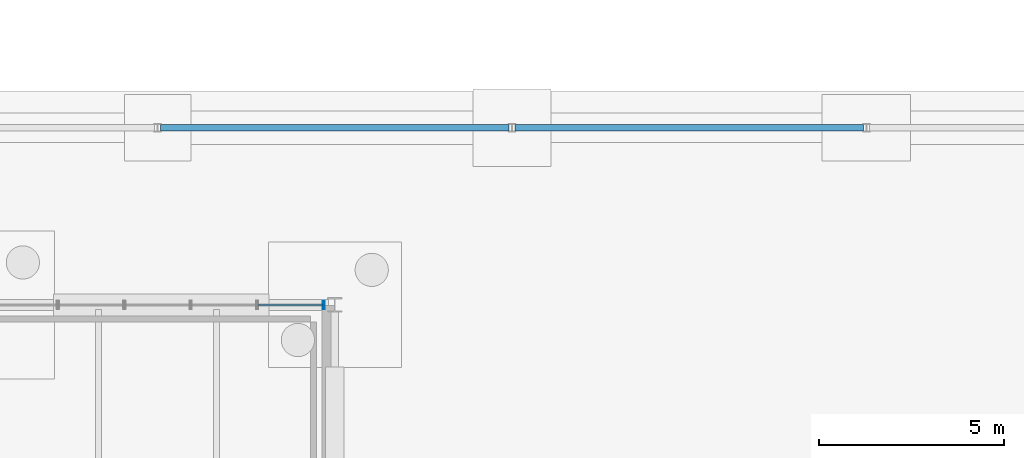
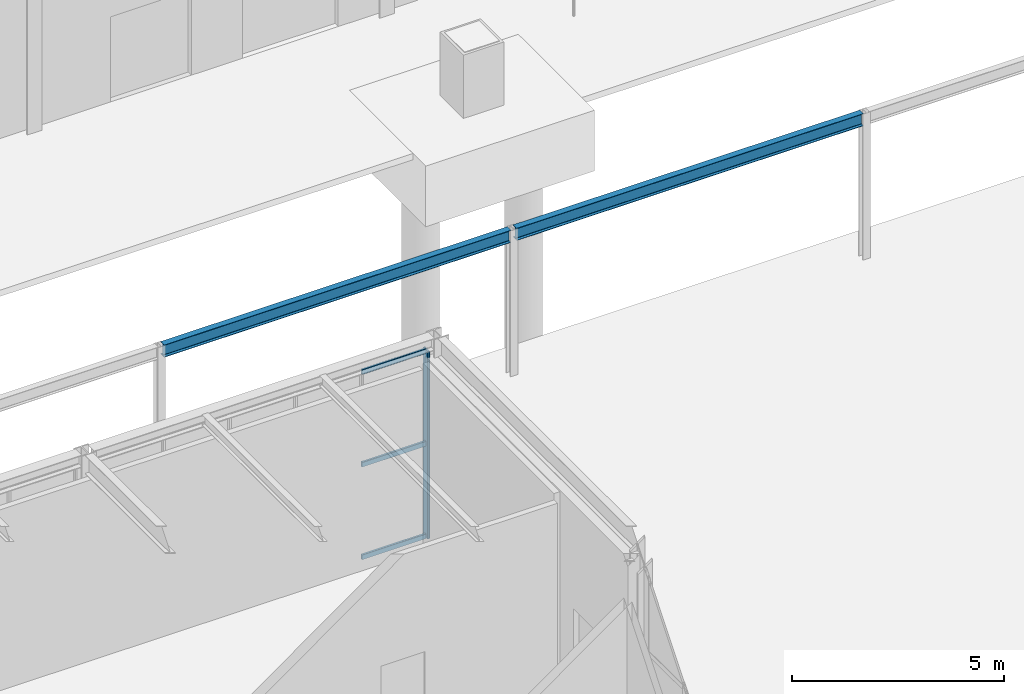
# One storey, part 64 of 142: 4 members, 2 beams, 1 element without a shape of its own.
"""IFC4 building model written with IfcOpenShell, lengths in metres."""

from ifc_helpers import new_model, si_unit, direction, frame, origin, origin_2d, place, context, subcontext, project, spatial, hollow_rectangle, i_section, extrude, material, material_profile, profile_set, type_object, element, aggregate, save


model = new_model("IFC4")

# Units and contexts
model_context = context("Model", 3, precision=1e-05, world=origin(), true_north=direction((0.0, 1.0)))
body_context = subcontext(model_context, "Body", "Model", "MODEL_VIEW")
ifc_project = project(units=[si_unit("LENGTHUNIT", "METRE"), si_unit("AREAUNIT", "SQUARE_METRE"), si_unit("VOLUMEUNIT", "CUBIC_METRE"), si_unit("PLANEANGLEUNIT", "RADIAN"), si_unit("MASSUNIT", "GRAM", prefix="KILO")], contexts=[model_context])

# Site, building, storey
site_placement = place(None, origin())
site = spatial("IfcSite", under=ifc_project, at=site_placement, CompositionType="ELEMENT")
building_placement = place(site_placement, origin())
building = spatial("IfcBuilding", under=site, at=building_placement, Name="Coralgate Yard Interchange", CompositionType="ELEMENT")
storey_placement = place(building_placement, origin())
storey = spatial("IfcBuildingStorey", under=building, at=storey_placement, Name="L00", CompositionType="ELEMENT", Elevation=0.0)

# Beams
ifc_material_1 = material(Name="Structural steel S355J2", Category="steel")
ifc_material_profile_1 = material_profile(ifc_material_1, i_section(OverallWidth=0.17138671875, OverallDepth=0.35498046875, WebThickness=0.00732421875, FlangeThickness=0.011474609375, FilletRadius=0.01025390625, at=origin_2d()), Name="UB 356x171x51")
ifc_profile_set_1 = profile_set([ifc_material_profile_1], Name="Structural steel S355J2")
beam_type = type_object("IfcBeamType", Name="BM-SB-4", PredefinedType="BEAM", material=ifc_profile_set_1)
beam_1_placement = place(storey_placement, frame((91.280029296875, 24.0, 4.0224609375), z_axis=(1.0, 0.0, 0.0), x_axis=(0.0, 1.0, 0.0)))
element("IfcBeam", 1, at=beam_1_placement, inside=storey, type_object=beam_type, Name="Courtyard colonnade canopy beam 4", PredefinedType="BEAM", context=body_context, shape_type="SweptSolid", body=[
    extrude(i_section(OverallWidth=0.17138671875, OverallDepth=0.35498046875, WebThickness=0.00732421875, FlangeThickness=0.011474609375, FilletRadius=0.01025390625, at=origin_2d()), origin(), (0.0, 0.0, 1.0), 9.43994140625),
])
beam_2_placement = place(storey_placement, frame((100.8798828125, 24.0, 4.0224609375), z_axis=(1.0, 0.0, 0.0), x_axis=(0.0, 1.0, 0.0)))
element("IfcBeam", 2, at=beam_2_placement, inside=storey, type_object=beam_type, Name="Courtyard colonnade canopy beam 5", PredefinedType="BEAM", context=body_context, shape_type="SweptSolid", body=[
    extrude(i_section(OverallWidth=0.17138671875, OverallDepth=0.35498046875, WebThickness=0.00732421875, FlangeThickness=0.011474609375, FilletRadius=0.01025390625, at=origin_2d()), origin(), (0.0, 0.0, 1.0), 9.440185546875),
])

# Curtain wall, members
ifc_material_2 = material(Name="Anodised coastal aluminium and solar-control low-E glass", Category="aluminium")
curtain_wall_type = type_object("IfcCurtainWallType", Name="CW-CW-L00-A", PredefinedType="NOTDEFINED", material=ifc_material_2)
curtain_wall_placement = place(storey_placement, origin())
curtain_wall = element("IfcCurtainWall", 3, at=curtain_wall_placement, inside=storey, type_object=curtain_wall_type, Name="L00 unitised curtain wall CW-L00-N-09-01", PredefinedType="NOTDEFINED")
ifc_material_3 = material(Name="Anodised coastal aluminium 6063-T6", Category="aluminium")
ifc_material_profile_2 = material_profile(ifc_material_3, hollow_rectangle(XDim=0.06005859375, YDim=0.219970703125, WallThickness=0.00390625, InnerFilletRadius=0.00390625, OuterFilletRadius=0.008056640625, at=origin_2d()), Name="ALU 60x220x4")
ifc_profile_set_2 = profile_set([ifc_material_profile_2], Name="Anodised coastal aluminium 6063-T6")
member_type_1 = type_object("IfcMemberType", Name="MB-MUL-220", PredefinedType="MULLION", material=ifc_profile_set_2)
member_1_placement = place(storey_placement, frame((95.699951171875, 19.199951171875, 0.0), z_axis=(0.0, 0.0, 1.0), x_axis=(1.0, 0.0, 0.0)))
member_1 = element("IfcMember", 4, at=member_1_placement, type_object=member_type_1, Name="CW-L00-N-09-01 vertical mullion 6", PredefinedType="MULLION", context=body_context, shape_type="SweptSolid", body=[
    extrude(hollow_rectangle(XDim=0.06005859375, YDim=0.219970703125, WallThickness=0.00390625, InnerFilletRadius=0.00390625, OuterFilletRadius=0.008056640625, at=origin_2d()), origin(), (0.0, 0.0, 1.0), 5.39990234375),
])
ifc_material_profile_3 = material_profile(ifc_material_3, hollow_rectangle(XDim=0.06005859375, YDim=0.139892578125, WallThickness=0.00341796875, InnerFilletRadius=0.00341796875, OuterFilletRadius=0.007080078125, at=origin_2d()), Name="ALU 60x140x3.5")
ifc_profile_set_3 = profile_set([ifc_material_profile_3], Name="Anodised coastal aluminium 6063-T6")
member_type_2 = type_object("IfcMemberType", Name="MB-TRN-140", PredefinedType="USERDEFINED", material=ifc_profile_set_3)
member_2_placement = place(storey_placement, frame((93.929931640625, 19.199951171875, 0.034912109375), z_axis=(1.0, 0.0, 0.0), x_axis=(0.0, 1.0, 0.0)))
member_2 = element("IfcMember", 5, at=member_2_placement, type_object=member_type_2, Name="CW-L00-N-09-01 horizontal transom 5-1", ObjectType="TRANSOM", PredefinedType="USERDEFINED", context=body_context, shape_type="SweptSolid", body=[
    extrude(hollow_rectangle(XDim=0.06005859375, YDim=0.139892578125, WallThickness=0.00341796875, InnerFilletRadius=0.00341796875, OuterFilletRadius=0.007080078125, at=origin_2d()), origin(), (0.0, 0.0, 1.0), 1.739990234375),
])
member_3_placement = place(storey_placement, frame((93.929931640625, 19.199951171875, 2.699951171875), z_axis=(1.0, 0.0, 0.0), x_axis=(0.0, 1.0, 0.0)))
member_3 = element("IfcMember", 6, at=member_3_placement, type_object=member_type_2, Name="CW-L00-N-09-01 horizontal transom 5-2", ObjectType="TRANSOM", PredefinedType="USERDEFINED", context=body_context, shape_type="SweptSolid", body=[
    extrude(hollow_rectangle(XDim=0.06005859375, YDim=0.139892578125, WallThickness=0.00341796875, InnerFilletRadius=0.00341796875, OuterFilletRadius=0.007080078125, at=origin_2d()), origin(), (0.0, 0.0, 1.0), 1.739990234375),
])
member_4_placement = place(storey_placement, frame((93.929931640625, 19.199951171875, 5.364990234375), z_axis=(1.0, 0.0, 0.0), x_axis=(0.0, 1.0, 0.0)))
member_4 = element("IfcMember", 7, at=member_4_placement, type_object=member_type_2, Name="CW-L00-N-09-01 horizontal transom 5-3", ObjectType="TRANSOM", PredefinedType="USERDEFINED", context=body_context, shape_type="SweptSolid", body=[
    extrude(hollow_rectangle(XDim=0.06005859375, YDim=0.139892578125, WallThickness=0.00341796875, InnerFilletRadius=0.00341796875, OuterFilletRadius=0.007080078125, at=origin_2d()), origin(), (0.0, 0.0, 1.0), 1.739990234375),
])
aggregate(curtain_wall, [member_1, member_2, member_3, member_4])

save(model, "model.ifc")
